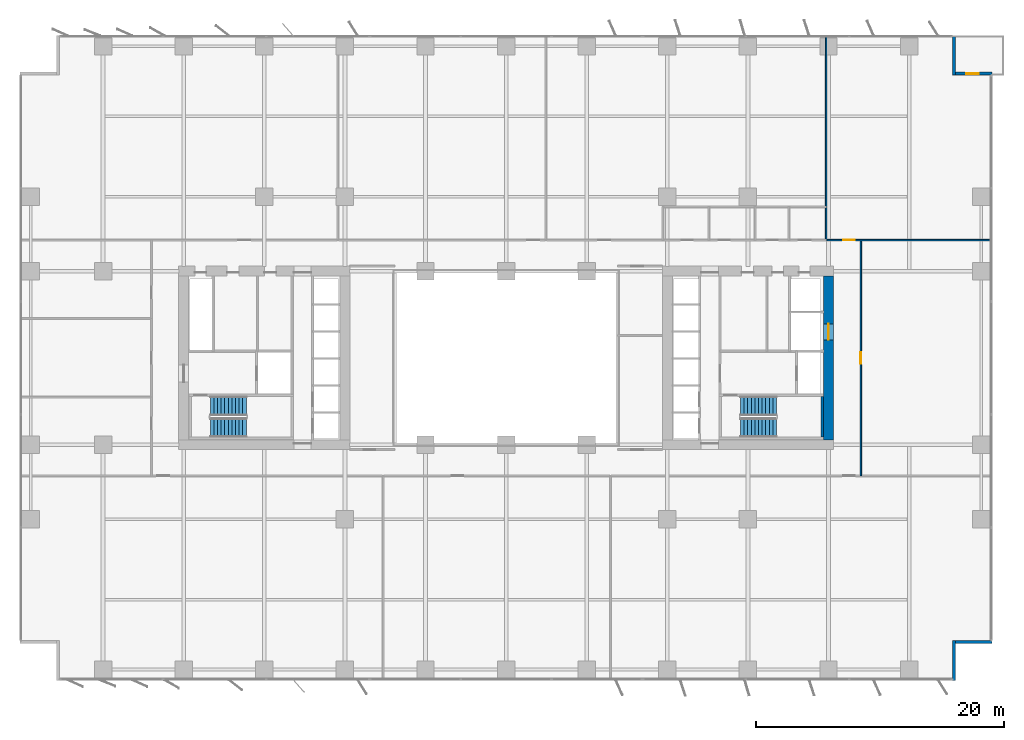
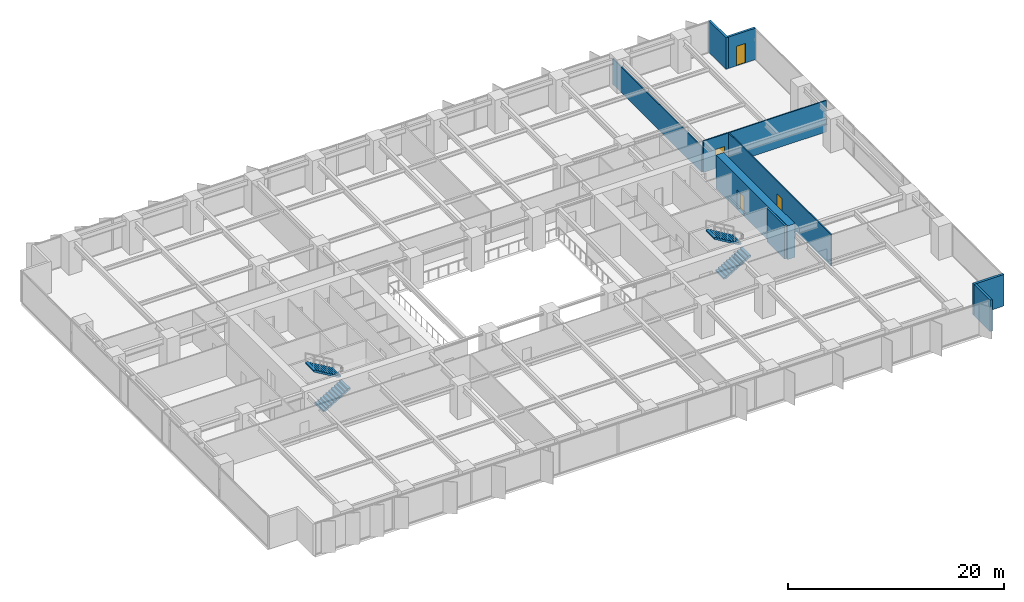
# One storey, part 16 of 20: 9 walls, 4 doors, 4 stair flights, 4 openings, 2 elements without a shape of their own.
"""IFC4 building model written with IfcOpenShell, lengths in metres."""

from ifc_helpers import new_model, si_unit, direction, frame, frame_2d, origin, place, context, subcontext, project, spatial, polyline, rectangle, outline, extrude, material, layer, layer_set, type_object, element, fill, aggregate, save


model = new_model("IFC4")

# Units and contexts
model_context = context("Model", 3, precision=1e-05, world=origin(), true_north=direction((0.0, 1.0)))
body_context = subcontext(model_context, "Body", "Model", "MODEL_VIEW")
ifc_project = project(units=[si_unit("LENGTHUNIT", "METRE"), si_unit("AREAUNIT", "SQUARE_METRE"), si_unit("VOLUMEUNIT", "CUBIC_METRE"), si_unit("PLANEANGLEUNIT", "RADIAN"), si_unit("MASSUNIT", "GRAM", prefix="KILO")], contexts=[model_context])

# Site, building, storey
site_placement = place(None, origin())
site = spatial("IfcSite", under=ifc_project, at=site_placement, CompositionType="ELEMENT")
building_placement = place(site_placement, origin())
building = spatial("IfcBuilding", under=site, at=building_placement, Name="Putna Gate Headquarters", CompositionType="ELEMENT")
storey_placement = place(building_placement, frame((0.0, 0.0, 58.199951171875)))
storey = spatial("IfcBuildingStorey", under=building, at=storey_placement, Name="L13", CompositionType="ELEMENT", Elevation=58.199951171875)

# Wall, opening, door
ifc_material_1 = material(Name="Concrete C60/75", Category="concrete")
ifc_layer_1 = layer(ifc_material_1, 0.800048828125)
ifc_layer_set_1 = layer_set([ifc_layer_1], Name="Concrete C60/75")
wall_type_1 = type_object("IfcWallType", Name="WALL-CORE-800", PredefinedType="SHEAR", material=ifc_layer_set_1)
wall_1_placement = place(storey_placement, frame((65.0, 19.39990234375, 0.0), z_axis=(0.0, 0.0, 1.0), x_axis=(0.0, 1.0, 0.0)))
wall_1 = element("IfcWall", 1, at=wall_1_placement, inside=storey, type_object=wall_type_1, Name="L13 EC Split Core Shear Wall E", PredefinedType="SHEAR", context=body_context, shape_type="SweptSolid", body=[
    extrude(rectangle(XDim=13.2001953125, YDim=0.800048828125, at=frame_2d((6.60009765625, 0.0))), origin(), (0.0, 0.0, 1.0), 3.800048828125),
])
opening_1_placement = place(wall_1_placement, frame((8.050048828125, 0.0, 0.0)))
opening_1 = element("IfcOpeningElement", 2, at=opening_1_placement, cuts=wall_1, Name="Opening LD-2", PredefinedType="OPENING", context=body_context, shape_type="SweptSolid", body=[
    extrude(rectangle(XDim=1.300048828125, YDim=2.199951171875, at=frame_2d((0.64990234375, 1.10009765625))), frame((0.0, 0.409912109375, 0.0), z_axis=(0.0, -1.0, 0.0), x_axis=(1.0, 0.0, 0.0)), (0.0, 0.0, 1.0), 0.820068359375),
])
ifc_material_2 = material(Name="Heavy-duty goods lift sliding landing door")
door_type_1 = type_object("IfcDoorType", Name="DOOR-LIFT-1300", OperationType="DOUBLE_DOOR_SLIDING", PredefinedType="DOOR", material=ifc_material_2)
door_1_placement = place(opening_1_placement, origin())
door_1 = element("IfcDoor", 3, at=door_1_placement, inside=storey, type_object=door_type_1, Name="L13 Goods Lift Landing Door LD-15", OperationType="DOUBLE_DOOR_SLIDING", OverallHeight=2.199951171875, OverallWidth=1.300048828125, PredefinedType="DOOR", context=body_context, shape_type="SweptSolid", body=[
    extrude(rectangle(XDim=1.300048828125, YDim=2.199951171875, at=frame_2d((0.64990234375, 1.10009765625))), frame((0.0, 0.02490234375, 0.0), z_axis=(0.0, -1.0, 0.0), x_axis=(1.0, 0.0, 0.0)), (0.0, 0.0, 1.0), 0.050048828125),
])
fill(opening_1, door_1)

# Wall
ifc_material_3 = material(Name="Precast concrete C40/50", Category="concrete")
ifc_layer_2 = layer(ifc_material_3, 0.239990234375)
ifc_layer_set_2 = layer_set([ifc_layer_2], Name="Precast concrete C40/50")
wall_type_2 = type_object("IfcWallType", Name="WALL-EXT-TERR-240", PredefinedType="STANDARD", material=ifc_layer_set_2)
wall_2_placement = place(storey_placement, frame((75.1201171875, 52.0, 0.0), z_axis=(0.0, 0.0, 1.0), x_axis=(0.0, -1.0, 0.0)))
element("IfcWall", 4, at=wall_2_placement, inside=storey, type_object=wall_type_2, Name="L13 Corner Notch Return Wall NE-V", PredefinedType="STANDARD", context=body_context, shape_type="SweptSolid", body=[
    extrude(rectangle(XDim=3.199951171875, YDim=0.239990234375, at=frame_2d((1.60009765625, 0.0))), origin(), (0.0, 0.0, 1.0), 3.550048828125),
])

# Wall, opening, door
wall_3_placement = place(storey_placement, frame((75.0, 48.919921875, 0.0), z_axis=(0.0, 0.0, 1.0), x_axis=(1.0, 0.0, 0.0)))
wall_3 = element("IfcWall", 5, at=wall_3_placement, inside=storey, type_object=wall_type_2, Name="L13 Corner Notch Return Wall NE-H", PredefinedType="STANDARD", context=body_context, shape_type="SweptSolid", body=[
    extrude(rectangle(XDim=3.199951171875, YDim=0.239990234375, at=frame_2d((1.60009765625, 0.0))), origin(), (0.0, 0.0, 1.0), 3.550048828125),
])
opening_2_placement = place(wall_3_placement, frame((1.10009765625, 0.0, 0.0)))
opening_2 = element("IfcOpeningElement", 6, at=opening_2_placement, cuts=wall_3, Name="Opening TRD-1", PredefinedType="OPENING", context=body_context, shape_type="SweptSolid", body=[
    extrude(rectangle(XDim=1.0, YDim=2.199951171875, at=frame_2d((0.5, 1.10009765625))), frame((0.0, 0.1298828125, 0.0), z_axis=(0.0, -1.0, 0.0), x_axis=(1.0, 0.0, 0.0)), (0.0, 0.0, 1.0), 0.260009765625),
])
ifc_material_4 = material(Name="Thermally broken bronze glazed terrace door")
door_type_2 = type_object("IfcDoorType", Name="DOOR-TERR-EXT-1000", OperationType="NOTDEFINED", PredefinedType="DOOR", material=ifc_material_4)
door_2_placement = place(opening_2_placement, origin())
door_2 = element("IfcDoor", 7, at=door_2_placement, inside=storey, type_object=door_type_2, Name="L13 Spiral Sky Terrace Door NE", OperationType="SINGLE_SWING_LEFT", OverallHeight=2.199951171875, OverallWidth=1.0, PredefinedType="DOOR", context=body_context, shape_type="SweptSolid", body=[
    extrude(rectangle(XDim=1.0, YDim=2.199951171875, at=frame_2d((0.5, 1.10009765625))), frame((0.0, 0.02490234375, 0.0), z_axis=(0.0, -1.0, 0.0), x_axis=(1.0, 0.0, 0.0)), (0.0, 0.0, 1.0), 0.050048828125),
])
fill(opening_2, door_2)

# Walls
for number, where, z_axis, x_axis, name in (
    (8, (75.1201171875, 3.199951171875, 0.0), (0.0, 0.0, 1.0), (0.0, -1.0, 0.0), "L13 Corner Notch Return Wall SE-V"),
    (9, (78.199951171875, 3.080078125, 0.0), (0.0, 0.0, 1.0), (-1.0, 0.0, 0.0), "L13 Corner Notch Return Wall SE-H"),
):
    element("IfcWall", number, at=place(storey_placement, frame(where, z_axis=z_axis, x_axis=x_axis)), inside=storey, type_object=wall_type_2, Name=name, PredefinedType="STANDARD", context=body_context, shape_type="SweptSolid", body=[
        extrude(rectangle(XDim=3.199951171875, YDim=0.239990234375, at=frame_2d((1.60009765625, 0.0))), origin(), (0.0, 0.0, 1.0), 3.550048828125),
    ])
ifc_material_5 = material(Name="Acoustic gypsum board on metal stud")
ifc_layer_3 = layer(ifc_material_5, 0.1201171875)
ifc_layer_set_3 = layer_set([ifc_layer_3], Name="Acoustic gypsum board on metal stud")
wall_type_3 = type_object("IfcWallType", Name="WALL-PART-120", PredefinedType="PARTITIONING", material=ifc_layer_set_3)
wall_4_placement = place(storey_placement, frame((64.800048828125, 35.56005859375, 0.0), z_axis=(0.0, 0.0, 1.0), x_axis=(0.0, 1.0, 0.0)))
element("IfcWall", 10, at=wall_4_placement, inside=storey, type_object=wall_type_3, Name="L13 Interior Wall PART-L13-NB-DIV-03", PredefinedType="PARTITIONING", context=body_context, shape_type="SweptSolid", body=[
    extrude(rectangle(XDim=16.419921875, YDim=0.1201171875, at=frame_2d((8.2099609375, 0.0))), origin(), (0.0, 0.0, 1.0), 2.900146484375),
])

# Wall, opening, door
ifc_material_6 = material(Name="Fire-rated gypsum board on metal stud")
ifc_layer_4 = layer(ifc_material_6, 0.1201171875)
ifc_layer_set_4 = layer_set([ifc_layer_4], Name="Fire-rated gypsum board on metal stud")
wall_type_4 = type_object("IfcWallType", Name="WALL-PART-120-RATED", PredefinedType="PARTITIONING", material=ifc_layer_set_4)
wall_5_placement = place(storey_placement, frame((64.860107421875, 35.5, 0.0), z_axis=(0.0, 0.0, 1.0), x_axis=(1.0, 0.0, 0.0)))
wall_5 = element("IfcWall", 11, at=wall_5_placement, inside=storey, type_object=wall_type_4, Name="L13 Interior Wall PART-L13-NB-CW-04", PredefinedType="PARTITIONING", context=body_context, shape_type="SweptSolid", body=[
    extrude(rectangle(XDim=13.159912109375, YDim=0.1201171875, at=frame_2d((6.580078125, 0.0))), origin(), (0.0, 0.0, 1.0), 3.550048828125),
])
opening_3_placement = place(wall_5_placement, frame((1.31005859375, 0.0, 0.0)))
opening_3 = element("IfcOpeningElement", 12, at=opening_3_placement, cuts=wall_5, Name="Opening FD-95", PredefinedType="OPENING", context=body_context, shape_type="SweptSolid", body=[
    extrude(rectangle(XDim=0.949951171875, YDim=2.14990234375, at=frame_2d((0.47509765625, 1.074951171875))), frame((0.0, 0.070068359375, 0.0), z_axis=(0.0, -1.0, 0.0), x_axis=(1.0, 0.0, 0.0)), (0.0, 0.0, 1.0), 0.14013671875),
])
ifc_material_7 = material(Name="Acoustic timber fire door", Category="wood")
door_type_3 = type_object("IfcDoorType", Name="DOOR-FIRE-950", OperationType="NOTDEFINED", PredefinedType="DOOR", material=ifc_material_7)
door_3_placement = place(opening_3_placement, origin())
door_3 = element("IfcDoor", 13, at=door_3_placement, inside=storey, type_object=door_type_3, Name="L13 Cellular Office 2 Door", OperationType="SINGLE_SWING_LEFT", OverallHeight=2.14990234375, OverallWidth=0.949951171875, PredefinedType="DOOR", context=body_context, shape_type="SweptSolid", body=[
    extrude(rectangle(XDim=0.949951171875, YDim=2.14990234375, at=frame_2d((0.47509765625, 1.074951171875))), frame((0.0, 0.02490234375, 0.0), z_axis=(0.0, -1.0, 0.0), x_axis=(1.0, 0.0, 0.0)), (0.0, 0.0, 1.0), 0.050048828125),
])
fill(opening_3, door_3)

wall_6_placement = place(storey_placement, frame((67.60009765625, 16.5, 0.0), z_axis=(0.0, 0.0, 1.0), x_axis=(0.0, 1.0, 0.0)))
wall_6 = element("IfcWall", 14, at=wall_6_placement, inside=storey, type_object=wall_type_4, Name="L13 Interior Wall PART-L13-EW-CW-1", PredefinedType="PARTITIONING", context=body_context, shape_type="SweptSolid", body=[
    extrude(rectangle(XDim=19.0, YDim=0.1201171875, at=frame_2d((9.5, 0.0))), origin(), (0.0, 0.0, 1.0), 3.550048828125),
])
opening_4_placement = place(wall_6_placement, frame((9.02490234375, 0.0, 0.0)))
opening_4 = element("IfcOpeningElement", 15, at=opening_4_placement, cuts=wall_6, Name="Opening FD-95", PredefinedType="OPENING", context=body_context, shape_type="SweptSolid", body=[
    extrude(rectangle(XDim=0.949951171875, YDim=2.14990234375, at=frame_2d((0.47509765625, 1.074951171875))), frame((0.0, 0.070068359375, 0.0), z_axis=(0.0, -1.0, 0.0), x_axis=(1.0, 0.0, 0.0)), (0.0, 0.0, 1.0), 0.14013671875),
])
door_4_placement = place(opening_4_placement, origin())
door_4 = element("IfcDoor", 16, at=door_4_placement, inside=storey, type_object=door_type_3, Name="L13 East Horizon Conference Room 1 Door", OperationType="SINGLE_SWING_RIGHT", OverallHeight=2.14990234375, OverallWidth=0.949951171875, PredefinedType="DOOR", context=body_context, shape_type="SweptSolid", body=[
    extrude(rectangle(XDim=0.949951171875, YDim=2.14990234375, at=frame_2d((0.47509765625, 1.074951171875))), frame((0.0, 0.02490234375, 0.0), z_axis=(0.0, -1.0, 0.0), x_axis=(1.0, 0.0, 0.0)), (0.0, 0.0, 1.0), 0.050048828125),
])
fill(opening_4, door_4)

# Wall
ifc_material_8 = material(Name="Concrete C40/50", Category="concrete")
ifc_layer_5 = layer(ifc_material_8, 0.199951171875)
ifc_layer_set_5 = layer_set([ifc_layer_5], Name="Concrete C40/50")
wall_type_5 = type_object("IfcWallType", Name="WALL-SHAFT-RC200", PredefinedType="SHEAR", material=ifc_layer_set_5)
wall_7_placement = place(storey_placement, frame((64.489990234375, 19.610107421875, 0.0), z_axis=(0.0, 0.0, 1.0), x_axis=(0.0, 1.0, 0.0)))
element("IfcWall", 17, at=wall_7_placement, inside=storey, type_object=wall_type_5, Name="L13 Stair ST2 Structural Shaft Wall E", PredefinedType="SHEAR", context=body_context, shape_type="SweptSolid", body=[
    extrude(rectangle(XDim=3.27978515625, YDim=0.199951171875, at=frame_2d((1.639892578125, 0.0))), origin(), (0.0, 0.0, 1.0), 3.800048828125),
])

# Stair, stair flights
stair_type_1 = type_object("IfcStairType", Name="STAIR-ST1", PredefinedType="HALF_TURN_STAIR", material=ifc_material_8)
stair_1_placement = place(storey_placement, origin())
stair_1 = element("IfcStair", 18, at=stair_1_placement, inside=storey, type_object=stair_type_1, Name="L13 West Core Exit Stair ST1", PredefinedType="HALF_TURN_STAIR")
stair_flight_type_1 = type_object("IfcStairFlightType", Name="FLIGHT-ST1", PredefinedType="STRAIGHT", material=ifc_material_8)
stair_flight_1_placement = place(storey_placement, frame((15.14990234375, 20.375, 0.0), z_axis=(0.0, 0.0, 1.0), x_axis=(1.0, 0.0, 0.0)))
stair_flight_1 = element("IfcStairFlight", 19, at=stair_flight_1_placement, type_object=stair_flight_type_1, Name="ST1 flight 1", NumberOfRisers=11, NumberOfTreads=10, PredefinedType="STRAIGHT", RiserHeight=0.172727273, TreadLength=0.29, context=body_context, shape_type="SweptSolid", body=[
    extrude(outline(polyline([(0.0, 0.0), (0.0, 0.172607421875), (0.2900390625, 0.172607421875), (0.2900390625, 0.345458984375), (0.580078125, 0.345458984375), (0.580078125, 0.51806640625), (0.8701171875, 0.51806640625), (0.8701171875, 0.69091796875), (1.159912109375, 0.69091796875), (1.159912109375, 0.863525390625), (1.449951171875, 0.863525390625), (1.449951171875, 1.036376953125), (1.739990234375, 1.036376953125), (1.739990234375, 1.208984375), (2.030029296875, 1.208984375), (2.030029296875, 1.3818359375), (2.320068359375, 1.3818359375), (2.320068359375, 1.554443359375), (2.610107421875, 1.554443359375), (2.610107421875, 1.727294921875), (2.89990234375, 1.727294921875), (2.89990234375, 1.89990234375), (2.89990234375, 1.552734375), (0.29296875, 0.0), (0.0, 0.0)])), frame((0.0, 0.77490234375, 0.0), z_axis=(0.0, -1.0, 0.0), x_axis=(1.0, 0.0, 0.0)), (0.0, 0.0, 1.0), 1.550048828125),
])
stair_flight_2_placement = place(storey_placement, frame((18.050048828125, 22.125, 1.900146484375), z_axis=(0.0, 0.0, 1.0), x_axis=(-1.0, 0.0, 0.0)))
stair_flight_2 = element("IfcStairFlight", 20, at=stair_flight_2_placement, type_object=stair_flight_type_1, Name="ST1 flight 2", NumberOfRisers=11, NumberOfTreads=10, PredefinedType="STRAIGHT", RiserHeight=0.172727273, TreadLength=0.29, context=body_context, shape_type="SweptSolid", body=[
    extrude(outline(polyline([(0.0, 0.0), (0.0, 0.172607421875), (0.2900390625, 0.172607421875), (0.2900390625, 0.345458984375), (0.580078125, 0.345458984375), (0.580078125, 0.51806640625), (0.8701171875, 0.51806640625), (0.8701171875, 0.69091796875), (1.159912109375, 0.69091796875), (1.159912109375, 0.863525390625), (1.449951171875, 0.863525390625), (1.449951171875, 1.036376953125), (1.739990234375, 1.036376953125), (1.739990234375, 1.208984375), (2.030029296875, 1.208984375), (2.030029296875, 1.3818359375), (2.320068359375, 1.3818359375), (2.320068359375, 1.554443359375), (2.610107421875, 1.554443359375), (2.610107421875, 1.727294921875), (2.89990234375, 1.727294921875), (2.89990234375, 1.89990234375), (2.89990234375, 1.552734375), (0.29296875, 0.0), (0.0, 0.0)])), frame((0.0, 0.77490234375, 0.0), z_axis=(0.0, -1.0, 0.0), x_axis=(1.0, 0.0, 0.0)), (0.0, 0.0, 1.0), 1.550048828125),
])
aggregate(stair_1, [stair_flight_1, stair_flight_2])

stair_type_2 = type_object("IfcStairType", Name="STAIR-ST2", PredefinedType="HALF_TURN_STAIR", material=ifc_material_8)
stair_2_placement = place(storey_placement, origin())
stair_2 = element("IfcStair", 21, at=stair_2_placement, inside=storey, type_object=stair_type_2, Name="L13 East Core Exit Stair ST2", PredefinedType="HALF_TURN_STAIR")
stair_flight_type_2 = type_object("IfcStairFlightType", Name="FLIGHT-ST2", PredefinedType="STRAIGHT", material=ifc_material_8)
stair_flight_3_placement = place(storey_placement, frame((57.89990234375, 20.375, 0.0), z_axis=(0.0, 0.0, 1.0), x_axis=(1.0, 0.0, 0.0)))
stair_flight_3 = element("IfcStairFlight", 22, at=stair_flight_3_placement, type_object=stair_flight_type_2, Name="ST2 flight 1", NumberOfRisers=11, NumberOfTreads=10, PredefinedType="STRAIGHT", RiserHeight=0.172727273, TreadLength=0.29, context=body_context, shape_type="SweptSolid", body=[
    extrude(outline(polyline([(0.0, 0.0), (0.0, 0.172607421875), (0.2900390625, 0.172607421875), (0.2900390625, 0.345458984375), (0.580078125, 0.345458984375), (0.580078125, 0.51806640625), (0.8701171875, 0.51806640625), (0.8701171875, 0.69091796875), (1.159912109375, 0.69091796875), (1.159912109375, 0.863525390625), (1.449951171875, 0.863525390625), (1.449951171875, 1.036376953125), (1.739990234375, 1.036376953125), (1.739990234375, 1.208984375), (2.030029296875, 1.208984375), (2.030029296875, 1.3818359375), (2.320068359375, 1.3818359375), (2.320068359375, 1.554443359375), (2.610107421875, 1.554443359375), (2.610107421875, 1.727294921875), (2.89990234375, 1.727294921875), (2.89990234375, 1.89990234375), (2.89990234375, 1.552734375), (0.29296875, 0.0), (0.0, 0.0)])), frame((0.0, 0.77490234375, 0.0), z_axis=(0.0, -1.0, 0.0), x_axis=(1.0, 0.0, 0.0)), (0.0, 0.0, 1.0), 1.550048828125),
])
stair_flight_4_placement = place(storey_placement, frame((60.800048828125, 22.125, 1.900146484375), z_axis=(0.0, 0.0, 1.0), x_axis=(-1.0, 0.0, 0.0)))
stair_flight_4 = element("IfcStairFlight", 23, at=stair_flight_4_placement, type_object=stair_flight_type_2, Name="ST2 flight 2", NumberOfRisers=11, NumberOfTreads=10, PredefinedType="STRAIGHT", RiserHeight=0.172727273, TreadLength=0.29, context=body_context, shape_type="SweptSolid", body=[
    extrude(outline(polyline([(0.0, 0.0), (0.0, 0.172607421875), (0.2900390625, 0.172607421875), (0.2900390625, 0.345458984375), (0.580078125, 0.345458984375), (0.580078125, 0.51806640625), (0.8701171875, 0.51806640625), (0.8701171875, 0.69091796875), (1.159912109375, 0.69091796875), (1.159912109375, 0.863525390625), (1.449951171875, 0.863525390625), (1.449951171875, 1.036376953125), (1.739990234375, 1.036376953125), (1.739990234375, 1.208984375), (2.030029296875, 1.208984375), (2.030029296875, 1.3818359375), (2.320068359375, 1.3818359375), (2.320068359375, 1.554443359375), (2.610107421875, 1.554443359375), (2.610107421875, 1.727294921875), (2.89990234375, 1.727294921875), (2.89990234375, 1.89990234375), (2.89990234375, 1.552734375), (0.29296875, 0.0), (0.0, 0.0)])), frame((0.0, 0.77490234375, 0.0), z_axis=(0.0, -1.0, 0.0), x_axis=(1.0, 0.0, 0.0)), (0.0, 0.0, 1.0), 1.550048828125),
])
aggregate(stair_2, [stair_flight_3, stair_flight_4])

save(model, "model.ifc")
